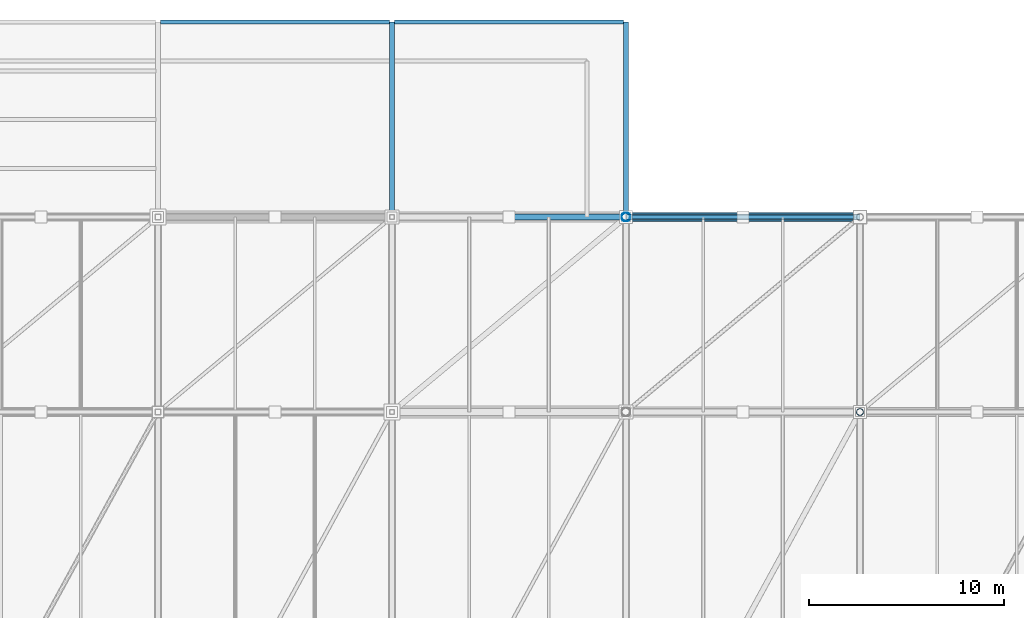
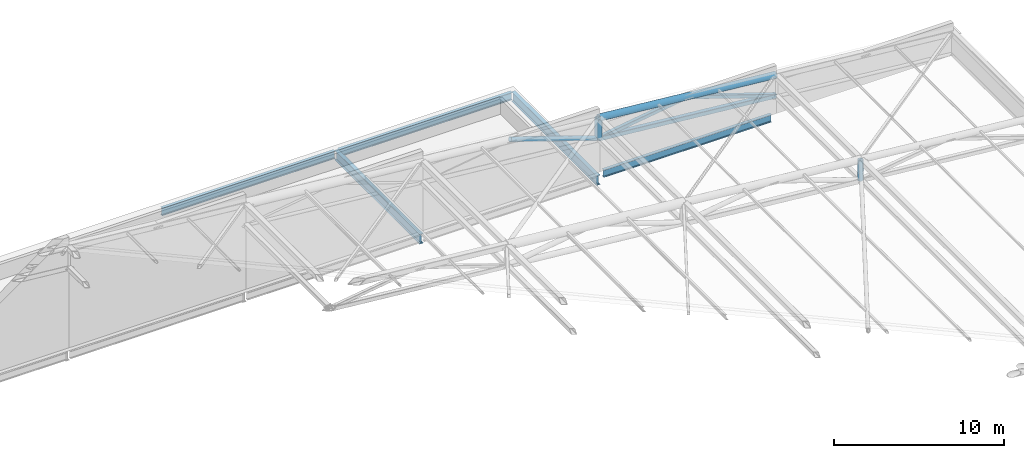
# One storey, part 38 of 44: 7 members, 5 beams.
"""IFC4 building model written with IfcOpenShell, lengths in metres."""

from ifc_helpers import new_model, si_unit, direction, frame, origin, origin_2d, place, context, subcontext, project, spatial, hollow_rectangle, hollow_circle, i_section, extrude, material, material_profile, profile_set, type_object, element, save


model = new_model("IFC4")

# Units and contexts
model_context = context("Model", 3, precision=1e-05, world=origin(), true_north=direction((0.0, 1.0)))
body_context = subcontext(model_context, "Body", "Model", "MODEL_VIEW")
ifc_project = project(units=[si_unit("LENGTHUNIT", "METRE"), si_unit("AREAUNIT", "SQUARE_METRE"), si_unit("VOLUMEUNIT", "CUBIC_METRE"), si_unit("PLANEANGLEUNIT", "RADIAN"), si_unit("MASSUNIT", "GRAM", prefix="KILO")], contexts=[model_context])

# Site, building, storey
site_placement = place(None, origin())
site = spatial("IfcSite", under=ifc_project, at=site_placement, CompositionType="ELEMENT")
building_placement = place(site_placement, origin())
building = spatial("IfcBuilding", under=site, at=building_placement, Name="Brinegate Civic Arena", CompositionType="ELEMENT")
storey_placement = place(building_placement, frame((0.0, 0.0, 29.39990234375)))
storey = spatial("IfcBuildingStorey", under=building, at=storey_placement, Name="RF", CompositionType="ELEMENT", Elevation=29.39990234375)

# Beams
ifc_material = material(Name="Steel S355", Category="steel")
ifc_material_profile_1 = material_profile(ifc_material, i_section(OverallWidth=0.256103515625, OverallDepth=0.693115234375, WebThickness=0.014892578125, FlangeThickness=0.02392578125, FilletRadius=0.01806640625, at=origin_2d()), Name="W690X170")
ifc_profile_set_1 = profile_set([ifc_material_profile_1], Name="Steel S355")
beam_type_1 = type_object("IfcBeamType", Name="GIRDER-W690X170", PredefinedType="BEAM", material=ifc_profile_set_1)
for number, where, z_axis, x_axis, name in (
    (1, (120.0, 114.0, -0.685791015625), (0.0, 1.0, 0.0), (-1.0, 0.0, 0.0), "Portal Roof Girder PGY-04"),
    (2, (132.0, 114.0, -0.685791015625), (0.0, 1.0, 0.0), (-1.0, 0.0, 0.0), "Portal Roof Girder PGY-05"),
):
    element("IfcBeam", number, at=place(storey_placement, frame(where, z_axis=z_axis, x_axis=x_axis)), inside=storey, type_object=beam_type_1, Name=name, PredefinedType="BEAM", context=body_context, shape_type="SweptSolid", body=[
        extrude(i_section(OverallWidth=0.256103515625, OverallDepth=0.693115234375, WebThickness=0.014892578125, FlangeThickness=0.02392578125, FilletRadius=0.01806640625, at=origin_2d()), origin(), (0.0, 0.0, 1.0), 10.0),
    ])

# Members
ifc_material_profile_2 = material_profile(ifc_material, hollow_circle(Radius=0.162109375, WallThickness=0.011962890625, at=origin_2d()), Name="CHS324X12")
ifc_profile_set_2 = profile_set([ifc_material_profile_2], Name="Steel S355")
member_type_1 = type_object("IfcMemberType", Name="SF-BRACE-CHS324", PredefinedType="BRACE", material=ifc_profile_set_2)
member_1_placement = place(storey_placement, frame((126.0, 114.0, 4.363037109375), z_axis=(0.948068139281, 0.0, -0.318067293635), x_axis=(0.0, 1.0, 0.0)))
element("IfcMember", 3, at=member_1_placement, inside=storey, type_object=member_type_1, Name="Space Frame Web Brace D2-8-7", PredefinedType="BRACE", context=body_context, shape_type="SweptSolid", body=[
    extrude(hollow_circle(Radius=0.162109375, WallThickness=0.011962890625, at=origin_2d()), origin(), (0.0, 0.0, 1.0), 6.32861328125),
])
ifc_material_profile_3 = material_profile(ifc_material, hollow_rectangle(XDim=0.25, YDim=0.25, WallThickness=0.011962890625, InnerFilletRadius=0.011962890625, OuterFilletRadius=0.02392578125, at=origin_2d()), Name="SHS250X12")
ifc_profile_set_3 = profile_set([ifc_material_profile_3], Name="Steel S355")
member_type_2 = type_object("IfcMemberType", Name="SF-BRACE-SHS250", PredefinedType="BRACE", material=ifc_profile_set_3)
member_2_placement = place(storey_placement, frame((132.0, 114.0, 2.35009765625), z_axis=(0.989226142737, 0.0, 0.1463954867), x_axis=(0.0, 1.0, 0.0)))
element("IfcMember", 4, at=member_2_placement, inside=storey, type_object=member_type_2, Name="Space Frame Web Brace D1-8-8", PredefinedType="BRACE", context=body_context, shape_type="SweptSolid", body=[
    extrude(hollow_rectangle(XDim=0.25, YDim=0.25, WallThickness=0.011962890625, InnerFilletRadius=0.011962890625, OuterFilletRadius=0.02392578125, at=origin_2d()), origin(), (0.0, 0.0, 1.0), 6.0654296875),
])
member_3_placement = place(storey_placement, frame((138.0, 114.0, 3.238037109375), z_axis=(0.948068139281, 0.0, -0.318067293635), x_axis=(0.0, 1.0, 0.0)))
element("IfcMember", 5, at=member_3_placement, inside=storey, type_object=member_type_2, Name="Space Frame Web Brace D2-8-8", PredefinedType="BRACE", context=body_context, shape_type="SweptSolid", body=[
    extrude(hollow_rectangle(XDim=0.25, YDim=0.25, WallThickness=0.011962890625, InnerFilletRadius=0.011962890625, OuterFilletRadius=0.02392578125, at=origin_2d()), origin(), (0.0, 0.0, 1.0), 6.32861328125),
])
ifc_material_profile_4 = material_profile(ifc_material, hollow_circle(Radius=0.228515625, WallThickness=0.01611328125, at=origin_2d()), Name="CHS457X16")
ifc_profile_set_4 = profile_set([ifc_material_profile_4], Name="Steel S355")
member_type_3 = type_object("IfcMemberType", Name="SF-CHORD-CHS457", PredefinedType="CHORD", material=ifc_profile_set_4)
member_4_placement = place(storey_placement, frame((132.0, 114.0, 3.800048828125), z_axis=(0.995634226059, 0.0, -0.093340708693), x_axis=(0.0, 1.0, 0.0)))
element("IfcMember", 6, at=member_4_placement, inside=storey, type_object=member_type_3, Name="Space Frame Top Chord TX-8-8", PredefinedType="CHORD", context=body_context, shape_type="SweptSolid", body=[
    extrude(hollow_circle(Radius=0.228515625, WallThickness=0.01611328125, at=origin_2d()), origin(), (0.0, 0.0, 1.0), 12.052734375),
])
ifc_material_profile_5 = material_profile(ifc_material, hollow_rectangle(XDim=0.300048828125, YDim=0.300048828125, WallThickness=0.01611328125, InnerFilletRadius=0.01611328125, OuterFilletRadius=0.031982421875, at=origin_2d()), Name="SHS300X16")
ifc_profile_set_5 = profile_set([ifc_material_profile_5], Name="Steel S355")
member_type_4 = type_object("IfcMemberType", Name="SF-CHORD-SHS300", PredefinedType="CHORD", material=ifc_profile_set_5)
member_5_placement = place(storey_placement, frame((132.0, 114.0, 2.35009765625), z_axis=(0.995634226059, 0.0, -0.093340708693), x_axis=(0.0, 1.0, 0.0)))
element("IfcMember", 7, at=member_5_placement, inside=storey, type_object=member_type_4, Name="Space Frame Bottom Chord BX-8-8", PredefinedType="CHORD", context=body_context, shape_type="SweptSolid", body=[
    extrude(hollow_rectangle(XDim=0.300048828125, YDim=0.300048828125, WallThickness=0.01611328125, InnerFilletRadius=0.01611328125, OuterFilletRadius=0.031982421875, at=origin_2d()), origin(), (0.0, 0.0, 1.0), 12.052734375),
])
ifc_material_profile_6 = material_profile(ifc_material, hollow_circle(Radius=0.177978515625, WallThickness=0.013916015625, at=origin_2d()), Name="CHS356X14")
ifc_profile_set_6 = profile_set([ifc_material_profile_6], Name="Steel S355")
member_type_5 = type_object("IfcMemberType", Name="SF-STRUT-CHS356", PredefinedType="STRUT", material=ifc_profile_set_6)
member_6_placement = place(storey_placement, frame((144.0, 104.0, 1.22509765625), z_axis=(0.0, 0.0, 1.0), x_axis=(1.0, 0.0, 0.0)))
element("IfcMember", 8, at=member_6_placement, inside=storey, type_object=member_type_5, Name="Space Frame Vertical Post V-7-9", PredefinedType="STRUT", context=body_context, shape_type="SweptSolid", body=[
    extrude(hollow_circle(Radius=0.177978515625, WallThickness=0.013916015625, at=origin_2d()), origin(), (0.0, 0.0, 1.0), 1.449951171875),
])
ifc_material_profile_7 = material_profile(ifc_material, hollow_circle(Radius=0.228515625, WallThickness=0.01611328125, at=origin_2d()), Name="CHS457X16")
ifc_profile_set_7 = profile_set([ifc_material_profile_7], Name="Steel S355")
member_type_6 = type_object("IfcMemberType", Name="SF-STRUT-CHS457", PredefinedType="STRUT", material=ifc_profile_set_7)
member_7_placement = place(storey_placement, frame((132.0, 114.0, 2.35009765625), z_axis=(0.0, 0.0, 1.0), x_axis=(1.0, 0.0, 0.0)))
element("IfcMember", 9, at=member_7_placement, inside=storey, type_object=member_type_6, Name="Space Frame Vertical Post V-8-8", PredefinedType="STRUT", context=body_context, shape_type="SweptSolid", body=[
    extrude(hollow_circle(Radius=0.228515625, WallThickness=0.01611328125, at=origin_2d()), origin(), (0.0, 0.0, 1.0), 1.449951171875),
])

# Beams
ifc_material_profile_8 = material_profile(ifc_material, i_section(OverallWidth=0.2119140625, OverallDepth=0.5439453125, WebThickness=0.012939453125, FlangeThickness=0.02099609375, FilletRadius=0.01611328125, at=origin_2d()), Name="W530X123")
ifc_profile_set_8 = profile_set([ifc_material_profile_8], Name="Steel S355")
beam_type_2 = type_object("IfcBeamType", Name="SPANDREL-W530X123", PredefinedType="SPANDREL", material=ifc_profile_set_8)
beam_placement = place(storey_placement, frame((132.31005859375, 114.0, -0.27197265625), z_axis=(1.0, 0.0, 0.0), x_axis=(0.0, 1.0, 0.0)))
element("IfcBeam", 10, at=beam_placement, inside=storey, type_object=beam_type_2, Name="Gable Crown Ring Beam GBL-N03", PredefinedType="SPANDREL", context=body_context, shape_type="SweptSolid", body=[
    extrude(i_section(OverallWidth=0.2119140625, OverallDepth=0.5439453125, WebThickness=0.012939453125, FlangeThickness=0.02099609375, FilletRadius=0.01611328125, at=origin_2d()), origin(), (0.0, 0.0, 1.0), 11.3798828125),
])
for number, where, z_axis, x_axis, name in (
    (11, (108.1298828125, 124.0, -0.61181640625), (1.0, 0.0, 0.0), (0.0, 1.0, 0.0), "Portal Roof Spandrel PGX-17"),
    (12, (120.1298828125, 124.0, -0.61181640625), (1.0, 0.0, 0.0), (0.0, 1.0, 0.0), "Portal Roof Spandrel PGX-19"),
):
    element("IfcBeam", number, at=place(storey_placement, frame(where, z_axis=z_axis, x_axis=x_axis)), inside=storey, type_object=beam_type_2, Name=name, PredefinedType="SPANDREL", context=body_context, shape_type="SweptSolid", body=[
        extrude(i_section(OverallWidth=0.2119140625, OverallDepth=0.5439453125, WebThickness=0.012939453125, FlangeThickness=0.02099609375, FilletRadius=0.01611328125, at=origin_2d()), origin(), (0.0, 0.0, 1.0), 11.740234375),
    ])

save(model, "model.ifc")
